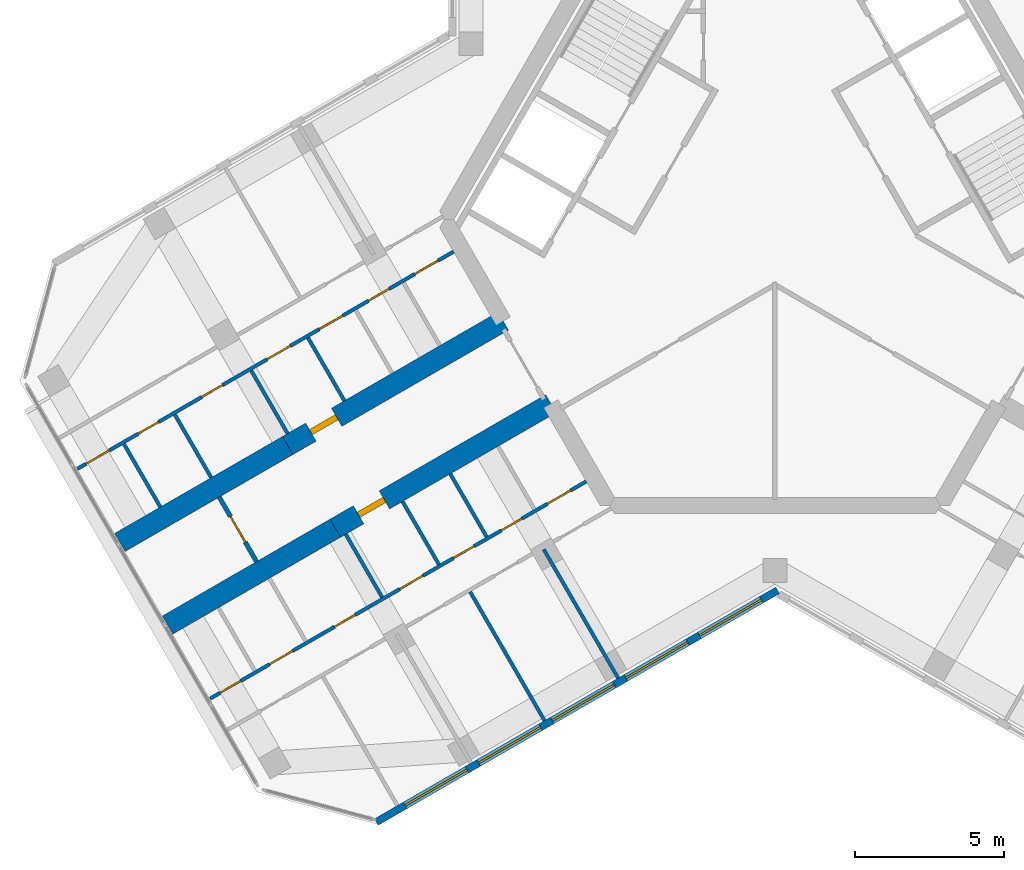
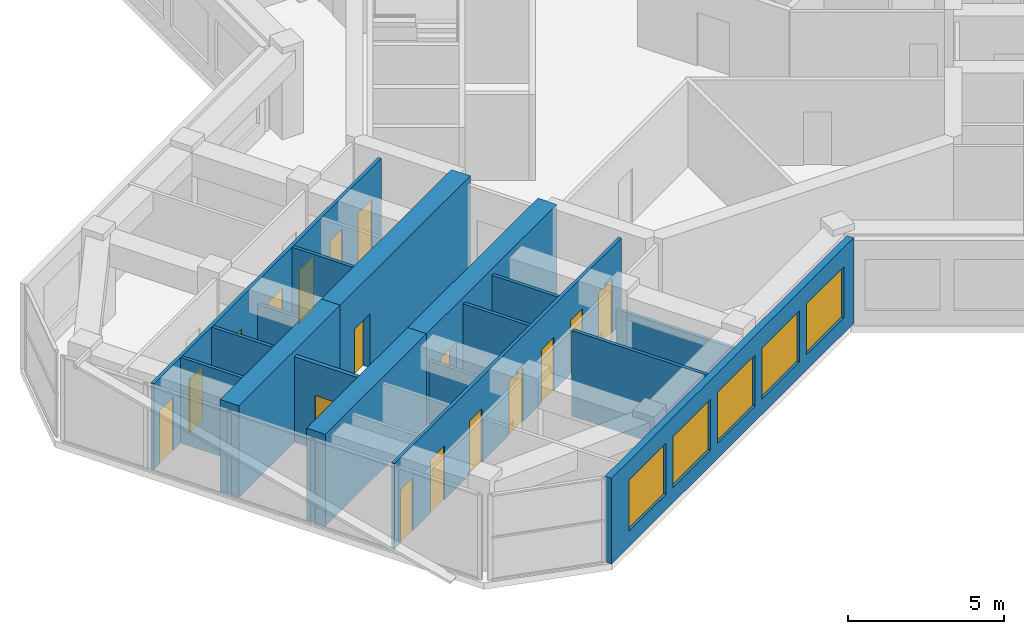
# One storey, part 7 of 14: 17 doors, 17 walls, 5 windows, 22 openings.
"""IFC4 building model written with IfcOpenShell, lengths in metres."""

from ifc_helpers import new_model, si_unit, direction, frame, frame_2d, origin, place, context, subcontext, project, spatial, rectangle, extrude, material, layer, layer_set, type_object, element, fill, save


model = new_model("IFC4")

# Units and contexts
model_context = context("Model", 3, precision=1e-05, world=origin(), true_north=direction((0.0, 1.0)))
body_context = subcontext(model_context, "Body", "Model", "MODEL_VIEW")
ifc_project = project(units=[si_unit("LENGTHUNIT", "METRE"), si_unit("AREAUNIT", "SQUARE_METRE"), si_unit("VOLUMEUNIT", "CUBIC_METRE"), si_unit("PLANEANGLEUNIT", "RADIAN"), si_unit("MASSUNIT", "GRAM", prefix="KILO")], contexts=[model_context])

# Site, building, storey
site_placement = place(None, origin())
site = spatial("IfcSite", under=ifc_project, at=site_placement, CompositionType="ELEMENT")
building_placement = place(site_placement, origin())
building = spatial("IfcBuilding", under=site, at=building_placement, Name="Kosmar Iwan School Tower", CompositionType="ELEMENT")
storey_placement = place(building_placement, frame((0.0, 0.0, 274.60009765625)))
storey = spatial("IfcBuildingStorey", under=building, at=storey_placement, Name="L69", CompositionType="ELEMENT", Elevation=274.60009765625)

# Wall, opening, door
ifc_material_1 = material(Name="Concrete C50/60", Category="concrete")
ifc_layer_1 = layer(ifc_material_1, 0.699951171875)
ifc_layer_set_1 = layer_set([ifc_layer_1], Name="Corridor buttress wall 700")
wall_type_1 = type_object("IfcWallType", Name="Corridor buttress wall 700", PredefinedType="SHEAR", material=ifc_layer_set_1)
wall_1_placement = place(storey_placement, frame((-7.513916015625, -6.185546875, 0.0), z_axis=(0.0, 0.0, 1.0), x_axis=(-0.866019549707, -0.500010139422, 0.0)))
wall_1 = element("IfcWall", 1, at=wall_1_placement, inside=storey, type_object=wall_type_1, Name="Corridor wall BL", PredefinedType="SHEAR", context=body_context, shape_type="SweptSolid", body=[
    extrude(rectangle(XDim=8.349853515625, YDim=0.699951171875, at=frame_2d((4.1748046875, 0.0))), origin(), (0.0, 0.0, 1.0), 3.599853515625),
])
opening_1_placement = place(wall_1_placement, frame((6.449951171875, 0.0, 0.0)))
opening_1 = element("IfcOpeningElement", 2, at=opening_1_placement, cuts=wall_1, Name="Opening D1", PredefinedType="OPENING", context=body_context, shape_type="SweptSolid", body=[
    extrude(rectangle(XDim=1.0, YDim=2.10009765625, at=frame_2d((0.5, 1.050048828125))), frame((0.0, 0.362060546875, 0.0), z_axis=(0.0, -1.0, 0.0), x_axis=(1.0, 0.0, 0.0)), (0.0, 0.0, 1.0), 0.723876953125),
])
ifc_material_2 = material(Name="Timber fire door in steel frame", Category="steel")
door_type_1 = type_object("IfcDoorType", Name="Flat entrance door 1000x2100", OperationType="SINGLE_SWING_LEFT", PredefinedType="DOOR", material=ifc_material_2)
door_1_placement = place(opening_1_placement, origin())
door_1 = element("IfcDoor", 3, at=door_1_placement, inside=storey, type_object=door_type_1, Name="Flat L69-BL1 entrance door", OperationType="SINGLE_SWING_LEFT", OverallHeight=2.10009765625, OverallWidth=1.0, PredefinedType="DOOR", context=body_context, shape_type="SweptSolid", body=[
    extrude(rectangle(XDim=1.0, YDim=2.10009765625, at=frame_2d((0.5, 1.050048828125))), frame((0.0, 0.10009765625, 0.0), z_axis=(0.0, -1.0, 0.0), x_axis=(1.0, 0.0, 0.0)), (0.0, 0.0, 1.0), 0.199951171875),
])
fill(opening_1, door_1)

# Wall
wall_2_placement = place(storey_placement, frame((-14.7451171875, -10.360595703125, 0.0), z_axis=(0.0, 0.0, 1.0), x_axis=(-0.866027848477, -0.499995765644, 0.0)))
element("IfcWall", 4, at=wall_2_placement, inside=storey, type_object=wall_type_1, Name="Corridor wall BL bay 2", PredefinedType="SHEAR", context=body_context, shape_type="SweptSolid", body=[
    extrude(rectangle(XDim=6.4951171875, YDim=0.699951171875, at=frame_2d((3.24755859375, 0.0))), origin(), (0.0, 0.0, 1.0), 3.599853515625),
])

# Wall, opening, door
wall_3_placement = place(storey_placement, frame((-9.11376953125, -3.414306640625, 0.0), z_axis=(0.0, 0.0, 1.0), x_axis=(-0.866026859388, -0.499997478812, 0.0)))
wall_3 = element("IfcWall", 5, at=wall_3_placement, inside=storey, type_object=wall_type_1, Name="Corridor wall BR", PredefinedType="SHEAR", context=body_context, shape_type="SweptSolid", body=[
    extrude(rectangle(XDim=8.35009765625, YDim=0.699951171875, at=frame_2d((4.175048828125, 0.0))), origin(), (0.0, 0.0, 1.0), 3.599853515625),
])
opening_2_placement = place(wall_3_placement, frame((6.449951171875, 0.0, 0.0)))
opening_2 = element("IfcOpeningElement", 6, at=opening_2_placement, cuts=wall_3, Name="Opening D1", PredefinedType="OPENING", context=body_context, shape_type="SweptSolid", body=[
    extrude(rectangle(XDim=1.0, YDim=2.10009765625, at=frame_2d((0.5, 1.050048828125))), frame((0.0, 0.362060546875, 0.0), z_axis=(0.0, -1.0, 0.0), x_axis=(1.0, 0.0, 0.0)), (0.0, 0.0, 1.0), 0.723876953125),
])
door_2_placement = place(opening_2_placement, origin())
door_2 = element("IfcDoor", 7, at=door_2_placement, inside=storey, type_object=door_type_1, Name="Flat L69-BR1 entrance door", OperationType="SINGLE_SWING_RIGHT", OverallHeight=2.10009765625, OverallWidth=1.0, PredefinedType="DOOR", context=body_context, shape_type="SweptSolid", body=[
    extrude(rectangle(XDim=1.0, YDim=2.10009765625, at=frame_2d((0.5, 1.050048828125))), frame((0.0, 0.10009765625, 0.0), z_axis=(0.0, -1.0, 0.0), x_axis=(1.0, 0.0, 0.0)), (0.0, 0.0, 1.0), 0.199951171875),
])
fill(opening_2, door_2)

# Wall
wall_4_placement = place(storey_placement, frame((-16.34521484375, -7.58935546875, 0.0), z_axis=(0.0, 0.0, 1.0), x_axis=(-0.866018451174, -0.500012042081, 0.0)))
element("IfcWall", 8, at=wall_4_placement, inside=storey, type_object=wall_type_1, Name="Corridor wall BR bay 2", PredefinedType="SHEAR", context=body_context, shape_type="SweptSolid", body=[
    extrude(rectangle(XDim=6.494873046875, YDim=0.699951171875, at=frame_2d((3.24755859375, 0.0))), origin(), (0.0, 0.0, 1.0), 3.599853515625),
])

# Wall, opening, door
ifc_material_3 = material(Name="Gypsum board on steel studs, fire-rated", Category="steel")
ifc_layer_2 = layer(ifc_material_3, 0.14990234375)
ifc_layer_set_2 = layer_set([ifc_layer_2], Name="Corridor end wall 150")
wall_type_2 = type_object("IfcWallType", Name="Corridor end wall 150", PredefinedType="PARTITIONING", material=ifc_layer_set_2)
wall_5_placement = place(storey_placement, frame((-18.638427734375, -9.3173828125, 0.0), z_axis=(0.0, 0.0, 1.0), x_axis=(0.500004234368, -0.866022959057, 0.0)))
wall_5 = element("IfcWall", 9, at=wall_5_placement, inside=storey, type_object=wall_type_2, Name="Partition L69-B-CE", PredefinedType="PARTITIONING", context=body_context, shape_type="SweptSolid", body=[
    extrude(rectangle(XDim=2.5, YDim=0.14990234375, at=frame_2d((1.25, 0.0))), origin(), (0.0, 0.0, 1.0), 3.349853515625),
])
opening_3_placement = place(wall_5_placement, frame((0.75, 0.0, 0.0)))
opening_3 = element("IfcOpeningElement", 10, at=opening_3_placement, cuts=wall_5, Name="Opening D13", PredefinedType="OPENING", context=body_context, shape_type="SweptSolid", body=[
    extrude(rectangle(XDim=1.0, YDim=2.10009765625, at=frame_2d((0.5, 1.050048828125))), frame((0.0, 0.0869140625, 0.0), z_axis=(0.0, -1.0, 0.0), x_axis=(1.0, 0.0, 0.0)), (0.0, 0.0, 1.0), 0.173828125),
])
ifc_material_4 = material(Name="Timber fire door with vision panel", Category="wood")
door_type_2 = type_object("IfcDoorType", Name="Corridor end door 1000x2100", OperationType="SINGLE_SWING_LEFT", PredefinedType="DOOR", material=ifc_material_4)
door_3_placement = place(opening_3_placement, origin())
door_3 = element("IfcDoor", 11, at=door_3_placement, inside=storey, type_object=door_type_2, Name="Prayer room door L69-B", OperationType="SINGLE_SWING_LEFT", OverallHeight=2.10009765625, OverallWidth=1.0, PredefinedType="DOOR", context=body_context, shape_type="SweptSolid", body=[
    extrude(rectangle(XDim=1.0, YDim=2.10009765625, at=frame_2d((0.5, 1.050048828125))), frame((0.0, 0.02490234375, 0.0), z_axis=(0.0, -1.0, 0.0), x_axis=(1.0, 0.0, 0.0)), (0.0, 0.0, 1.0), 0.050048828125),
])
fill(opening_3, door_3)

# Wall, openings, doors
ifc_material_5 = material(Name="Gypsum board on steel studs", Category="steel")
ifc_layer_3 = layer(ifc_material_5, 0.1201171875)
ifc_layer_set_3 = layer_set([ifc_layer_3], Name="Dwelling partition 120")
wall_type_3 = type_object("IfcWallType", Name="Dwelling partition 120", PredefinedType="PARTITIONING", material=ifc_layer_set_3)
wall_6_placement = place(storey_placement, frame((-6.326904296875, -8.791259765625, 0.0), z_axis=(0.0, 0.0, 1.0), x_axis=(-0.866023744513, -0.500002873931, 0.0)))
wall_6 = element("IfcWall", 12, at=wall_6_placement, inside=storey, type_object=wall_type_3, Name="Partition L69-BL1-W1", PredefinedType="PARTITIONING", context=body_context, shape_type="SweptSolid", body=[
    extrude(rectangle(XDim=14.5703125, YDim=0.1201171875, at=frame_2d((7.28515625, 0.0))), origin(), (0.0, 0.0, 1.0), 3.349853515625),
])
opening_4_placement = place(wall_6_placement, frame((0.60009765625, 0.0, 0.0)))
opening_4 = element("IfcOpeningElement", 13, at=opening_4_placement, cuts=wall_6, Name="Opening D2", PredefinedType="OPENING", context=body_context, shape_type="SweptSolid", body=[
    extrude(rectangle(XDim=0.89990234375, YDim=2.10009765625, at=frame_2d((0.449951171875, 1.050048828125))), frame((0.0, 0.072021484375, 0.0), z_axis=(0.0, -1.0, 0.0), x_axis=(1.0, 0.0, 0.0)), (0.0, 0.0, 1.0), 0.14404296875),
])
opening_5_placement = place(wall_6_placement, frame((2.5, 0.0, 0.0)))
opening_5 = element("IfcOpeningElement", 14, at=opening_5_placement, cuts=wall_6, Name="Opening D3", PredefinedType="OPENING", context=body_context, shape_type="SweptSolid", body=[
    extrude(rectangle(XDim=0.800048828125, YDim=2.10009765625, at=frame_2d((0.39990234375, 1.050048828125))), frame((0.0, 0.072021484375, 0.0), z_axis=(0.0, -1.0, 0.0), x_axis=(1.0, 0.0, 0.0)), (0.0, 0.0, 1.0), 0.14404296875),
])
opening_6_placement = place(wall_6_placement, frame((4.35009765625, 0.0, 0.0)))
opening_6 = element("IfcOpeningElement", 15, at=opening_6_placement, cuts=wall_6, Name="Opening D3", PredefinedType="OPENING", context=body_context, shape_type="SweptSolid", body=[
    extrude(rectangle(XDim=0.800048828125, YDim=2.10009765625, at=frame_2d((0.39990234375, 1.050048828125))), frame((0.0, 0.072021484375, 0.0), z_axis=(0.0, -1.0, 0.0), x_axis=(1.0, 0.0, 0.0)), (0.0, 0.0, 1.0), 0.14404296875),
])
opening_7_placement = place(wall_6_placement, frame((6.324951171875, 0.0, 0.0)))
opening_7 = element("IfcOpeningElement", 16, at=opening_7_placement, cuts=wall_6, Name="Opening D2", PredefinedType="OPENING", context=body_context, shape_type="SweptSolid", body=[
    extrude(rectangle(XDim=0.89990234375, YDim=2.10009765625, at=frame_2d((0.449951171875, 1.050048828125))), frame((0.0, 0.072021484375, 0.0), z_axis=(0.0, -1.0, 0.0), x_axis=(1.0, 0.0, 0.0)), (0.0, 0.0, 1.0), 0.14404296875),
])
opening_8_placement = place(wall_6_placement, frame((8.95361328125, 0.0, 0.0)))
opening_8 = element("IfcOpeningElement", 17, at=opening_8_placement, cuts=wall_6, Name="Opening D3", PredefinedType="OPENING", context=body_context, shape_type="SweptSolid", body=[
    extrude(rectangle(XDim=0.800048828125, YDim=2.10009765625, at=frame_2d((0.39990234375, 1.050048828125))), frame((0.0, 0.072021484375, 0.0), z_axis=(0.0, -1.0, 0.0), x_axis=(1.0, 0.0, 0.0)), (0.0, 0.0, 1.0), 0.14404296875),
])
opening_9_placement = place(wall_6_placement, frame((11.367919921875, 0.0, 0.0)))
opening_9 = element("IfcOpeningElement", 18, at=opening_9_placement, cuts=wall_6, Name="Opening D2", PredefinedType="OPENING", context=body_context, shape_type="SweptSolid", body=[
    extrude(rectangle(XDim=0.89990234375, YDim=2.10009765625, at=frame_2d((0.449951171875, 1.050048828125))), frame((0.0, 0.072021484375, 0.0), z_axis=(0.0, -1.0, 0.0), x_axis=(1.0, 0.0, 0.0)), (0.0, 0.0, 1.0), 0.14404296875),
])
opening_10_placement = place(wall_6_placement, frame((13.389404296875, 0.0, 0.0)))
opening_10 = element("IfcOpeningElement", 19, at=opening_10_placement, cuts=wall_6, Name="Opening D3", PredefinedType="OPENING", context=body_context, shape_type="SweptSolid", body=[
    extrude(rectangle(XDim=0.800048828125, YDim=2.10009765625, at=frame_2d((0.39990234375, 1.050048828125))), frame((0.0, 0.072021484375, 0.0), z_axis=(0.0, -1.0, 0.0), x_axis=(1.0, 0.0, 0.0)), (0.0, 0.0, 1.0), 0.14404296875),
])
ifc_material_6 = material(Name="Timber door in timber frame", Category="wood")
door_type_3 = type_object("IfcDoorType", Name="Internal door 900x2100", OperationType="SINGLE_SWING_LEFT", PredefinedType="DOOR", material=ifc_material_6)
door_4_placement = place(opening_4_placement, origin())
door_4 = element("IfcDoor", 20, at=door_4_placement, inside=storey, type_object=door_type_3, Name="Utility room door L69-BL1-S1", OperationType="SINGLE_SWING_LEFT", OverallHeight=2.10009765625, OverallWidth=0.89990234375, PredefinedType="DOOR", context=body_context, shape_type="SweptSolid", body=[
    extrude(rectangle(XDim=0.89990234375, YDim=2.10009765625, at=frame_2d((0.449951171875, 1.050048828125))), frame((0.0, 0.02490234375, 0.0), z_axis=(0.0, -1.0, 0.0), x_axis=(1.0, 0.0, 0.0)), (0.0, 0.0, 1.0), 0.050048828125),
])
fill(opening_4, door_4)
door_5_placement = place(opening_7_placement, origin())
door_5 = element("IfcDoor", 21, at=door_5_placement, inside=storey, type_object=door_type_3, Name="Entrance hall door L69-BL1-S4", OperationType="SINGLE_SWING_LEFT", OverallHeight=2.10009765625, OverallWidth=0.89990234375, PredefinedType="DOOR", context=body_context, shape_type="SweptSolid", body=[
    extrude(rectangle(XDim=0.89990234375, YDim=2.10009765625, at=frame_2d((0.449951171875, 1.050048828125))), frame((0.0, 0.02490234375, 0.0), z_axis=(0.0, -1.0, 0.0), x_axis=(1.0, 0.0, 0.0)), (0.0, 0.0, 1.0), 0.050048828125),
])
fill(opening_7, door_5)
door_6_placement = place(opening_9_placement, origin())
door_6 = element("IfcDoor", 22, at=door_6_placement, inside=storey, type_object=door_type_3, Name="Pantry door L69-BL1-S6", OperationType="SINGLE_SWING_RIGHT", OverallHeight=2.10009765625, OverallWidth=0.89990234375, PredefinedType="DOOR", context=body_context, shape_type="SweptSolid", body=[
    extrude(rectangle(XDim=0.89990234375, YDim=2.10009765625, at=frame_2d((0.449951171875, 1.050048828125))), frame((0.0, 0.02490234375, 0.0), z_axis=(0.0, -1.0, 0.0), x_axis=(1.0, 0.0, 0.0)), (0.0, 0.0, 1.0), 0.050048828125),
])
fill(opening_9, door_6)
ifc_material_7 = material(Name="Timber door in timber frame", Category="wood")
door_type_4 = type_object("IfcDoorType", Name="Sanitary room door 800x2100", OperationType="SINGLE_SWING_LEFT", PredefinedType="DOOR", material=ifc_material_7)
door_7_placement = place(opening_5_placement, origin())
door_7 = element("IfcDoor", 23, at=door_7_placement, inside=storey, type_object=door_type_4, Name="WC door L69-BL1-S2", OperationType="SINGLE_SWING_LEFT", OverallHeight=2.10009765625, OverallWidth=0.800048828125, PredefinedType="DOOR", context=body_context, shape_type="SweptSolid", body=[
    extrude(rectangle(XDim=0.800048828125, YDim=2.10009765625, at=frame_2d((0.39990234375, 1.050048828125))), frame((0.0, 0.02490234375, 0.0), z_axis=(0.0, -1.0, 0.0), x_axis=(1.0, 0.0, 0.0)), (0.0, 0.0, 1.0), 0.050048828125),
])
fill(opening_5, door_7)
door_8_placement = place(opening_6_placement, origin())
door_8 = element("IfcDoor", 24, at=door_8_placement, inside=storey, type_object=door_type_4, Name="Shower room door L69-BL1-S3", OperationType="SINGLE_SWING_LEFT", OverallHeight=2.10009765625, OverallWidth=0.800048828125, PredefinedType="DOOR", context=body_context, shape_type="SweptSolid", body=[
    extrude(rectangle(XDim=0.800048828125, YDim=2.10009765625, at=frame_2d((0.39990234375, 1.050048828125))), frame((0.0, 0.02490234375, 0.0), z_axis=(0.0, -1.0, 0.0), x_axis=(1.0, 0.0, 0.0)), (0.0, 0.0, 1.0), 0.050048828125),
])
fill(opening_6, door_8)
door_9_placement = place(opening_8_placement, origin())
door_9 = element("IfcDoor", 25, at=door_9_placement, inside=storey, type_object=door_type_4, Name="Bathroom door L69-BL1-S5", OperationType="SINGLE_SWING_RIGHT", OverallHeight=2.10009765625, OverallWidth=0.800048828125, PredefinedType="DOOR", context=body_context, shape_type="SweptSolid", body=[
    extrude(rectangle(XDim=0.800048828125, YDim=2.10009765625, at=frame_2d((0.39990234375, 1.050048828125))), frame((0.0, 0.02490234375, 0.0), z_axis=(0.0, -1.0, 0.0), x_axis=(1.0, 0.0, 0.0)), (0.0, 0.0, 1.0), 0.050048828125),
])
fill(opening_8, door_9)
door_10_placement = place(opening_10_placement, origin())
door_10 = element("IfcDoor", 26, at=door_10_placement, inside=storey, type_object=door_type_4, Name="Store door L69-BL1-S7", OperationType="SINGLE_SWING_RIGHT", OverallHeight=2.10009765625, OverallWidth=0.800048828125, PredefinedType="DOOR", context=body_context, shape_type="SweptSolid", body=[
    extrude(rectangle(XDim=0.800048828125, YDim=2.10009765625, at=frame_2d((0.39990234375, 1.050048828125))), frame((0.0, 0.02490234375, 0.0), z_axis=(0.0, -1.0, 0.0), x_axis=(1.0, 0.0, 0.0)), (0.0, 0.0, 1.0), 0.050048828125),
])
fill(opening_10, door_10)

# Walls
wall_7_placement = place(storey_placement, frame((-7.75390625, -11.070068359375, 0.0), z_axis=(0.0, 0.0, 1.0), x_axis=(0.500011847778, -0.866018563358, 0.0)))
element("IfcWall", 27, at=wall_7_placement, inside=storey, type_object=wall_type_3, Name="Partition L69-BL1-X1", PredefinedType="PARTITIONING", context=body_context, shape_type="SweptSolid", body=[
    extrude(rectangle(XDim=4.990234375, YDim=0.1201171875, at=frame_2d((2.4951171875, 0.0))), origin(), (0.0, 0.0, 1.0), 2.449951171875),
])
wall_8_placement = place(storey_placement, frame((-10.221923828125, -12.4951171875, 0.0), z_axis=(0.0, 0.0, 1.0), x_axis=(0.499996339024, -0.86602751744, 0.0)))
element("IfcWall", 28, at=wall_8_placement, inside=storey, type_object=wall_type_3, Name="Partition L69-BL1-X2", PredefinedType="PARTITIONING", context=body_context, shape_type="SweptSolid", body=[
    extrude(rectangle(XDim=4.98974609375, YDim=0.1201171875, at=frame_2d((2.494873046875, 0.0))), origin(), (0.0, 0.0, 1.0), 3.349853515625),
])
wall_9_placement = place(storey_placement, frame((-10.8896484375, -8.538818359375, 0.0), z_axis=(0.0, 0.0, 1.0), x_axis=(0.500077547548, -0.865980627057, 0.0)))
element("IfcWall", 29, at=wall_9_placement, inside=storey, type_object=wall_type_3, Name="Partition L69-BL1-Y2", PredefinedType="PARTITIONING", context=body_context, shape_type="SweptSolid", body=[
    extrude(rectangle(XDim=2.43994140625, YDim=0.1201171875, at=frame_2d((1.219970703125, 0.0))), origin(), (0.0, 0.0, 1.0), 3.349853515625),
])
wall_10_placement = place(storey_placement, frame((-12.49169921875, -9.463623046875, 0.0), z_axis=(0.0, 0.0, 1.0), x_axis=(0.499959183527, -0.866048967903, 0.0)))
element("IfcWall", 30, at=wall_10_placement, inside=storey, type_object=wall_type_3, Name="Partition L69-BL1-Y3", PredefinedType="PARTITIONING", context=body_context, shape_type="SweptSolid", body=[
    extrude(rectangle(XDim=2.440185546875, YDim=0.1201171875, at=frame_2d((1.22021484375, 0.0))), origin(), (0.0, 0.0, 1.0), 3.349853515625),
])
wall_11_placement = place(storey_placement, frame((-14.39697265625, -10.563720703125, 0.0), z_axis=(0.0, 0.0, 1.0), x_axis=(0.500002508028, -0.866023955769, 0.0)))
element("IfcWall", 31, at=wall_11_placement, inside=storey, type_object=wall_type_3, Name="Partition L69-BL1-Y4", PredefinedType="PARTITIONING", context=body_context, shape_type="SweptSolid", body=[
    extrude(rectangle(XDim=2.43994140625, YDim=0.1201171875, at=frame_2d((1.219970703125, 0.0))), origin(), (0.0, 0.0, 1.0), 2.449951171875),
])

# Wall, openings, doors
wall_12_placement = place(storey_placement, frame((-10.777099609375, -1.083740234375, 0.0), z_axis=(0.0, 0.0, 1.0), x_axis=(-0.866026811131, -0.499997562396, 0.0)))
wall_12 = element("IfcWall", 32, at=wall_12_placement, inside=storey, type_object=wall_type_3, Name="Partition L69-BR1-W1", PredefinedType="PARTITIONING", context=body_context, shape_type="SweptSolid", body=[
    extrude(rectangle(XDim=14.56982421875, YDim=0.1201171875, at=frame_2d((7.284912109375, 0.0))), origin(), (0.0, 0.0, 1.0), 3.349853515625),
])
opening_11_placement = place(wall_12_placement, frame((0.60009765625, 0.0, 0.0)))
opening_11 = element("IfcOpeningElement", 33, at=opening_11_placement, cuts=wall_12, Name="Opening D2", PredefinedType="OPENING", context=body_context, shape_type="SweptSolid", body=[
    extrude(rectangle(XDim=0.89990234375, YDim=2.10009765625, at=frame_2d((0.449951171875, 1.050048828125))), frame((0.0, 0.072021484375, 0.0), z_axis=(0.0, -1.0, 0.0), x_axis=(1.0, 0.0, 0.0)), (0.0, 0.0, 1.0), 0.14404296875),
])
opening_12_placement = place(wall_12_placement, frame((2.5, 0.0, 0.0)))
opening_12 = element("IfcOpeningElement", 34, at=opening_12_placement, cuts=wall_12, Name="Opening D3", PredefinedType="OPENING", context=body_context, shape_type="SweptSolid", body=[
    extrude(rectangle(XDim=0.800048828125, YDim=2.10009765625, at=frame_2d((0.39990234375, 1.050048828125))), frame((0.0, 0.072021484375, 0.0), z_axis=(0.0, -1.0, 0.0), x_axis=(1.0, 0.0, 0.0)), (0.0, 0.0, 1.0), 0.14404296875),
])
opening_13_placement = place(wall_12_placement, frame((4.300048828125, 0.0, 0.0)))
opening_13 = element("IfcOpeningElement", 35, at=opening_13_placement, cuts=wall_12, Name="Opening D2", PredefinedType="OPENING", context=body_context, shape_type="SweptSolid", body=[
    extrude(rectangle(XDim=0.89990234375, YDim=2.10009765625, at=frame_2d((0.449951171875, 1.050048828125))), frame((0.0, 0.072021484375, 0.0), z_axis=(0.0, -1.0, 0.0), x_axis=(1.0, 0.0, 0.0)), (0.0, 0.0, 1.0), 0.14404296875),
])
opening_14_placement = place(wall_12_placement, frame((6.324951171875, 0.0, 0.0)))
opening_14 = element("IfcOpeningElement", 36, at=opening_14_placement, cuts=wall_12, Name="Opening D2", PredefinedType="OPENING", context=body_context, shape_type="SweptSolid", body=[
    extrude(rectangle(XDim=0.89990234375, YDim=2.10009765625, at=frame_2d((0.449951171875, 1.050048828125))), frame((0.0, 0.072021484375, 0.0), z_axis=(0.0, -1.0, 0.0), x_axis=(1.0, 0.0, 0.0)), (0.0, 0.0, 1.0), 0.14404296875),
])
opening_15_placement = place(wall_12_placement, frame((8.95361328125, 0.0, 0.0)))
opening_15 = element("IfcOpeningElement", 37, at=opening_15_placement, cuts=wall_12, Name="Opening D3", PredefinedType="OPENING", context=body_context, shape_type="SweptSolid", body=[
    extrude(rectangle(XDim=0.800048828125, YDim=2.10009765625, at=frame_2d((0.39990234375, 1.050048828125))), frame((0.0, 0.072021484375, 0.0), z_axis=(0.0, -1.0, 0.0), x_axis=(1.0, 0.0, 0.0)), (0.0, 0.0, 1.0), 0.14404296875),
])
opening_16_placement = place(wall_12_placement, frame((11.41796875, 0.0, 0.0)))
opening_16 = element("IfcOpeningElement", 38, at=opening_16_placement, cuts=wall_12, Name="Opening D3", PredefinedType="OPENING", context=body_context, shape_type="SweptSolid", body=[
    extrude(rectangle(XDim=0.800048828125, YDim=2.10009765625, at=frame_2d((0.39990234375, 1.050048828125))), frame((0.0, 0.072021484375, 0.0), z_axis=(0.0, -1.0, 0.0), x_axis=(1.0, 0.0, 0.0)), (0.0, 0.0, 1.0), 0.14404296875),
])
opening_17_placement = place(wall_12_placement, frame((13.33935546875, 0.0, 0.0)))
opening_17 = element("IfcOpeningElement", 39, at=opening_17_placement, cuts=wall_12, Name="Opening D2", PredefinedType="OPENING", context=body_context, shape_type="SweptSolid", body=[
    extrude(rectangle(XDim=0.89990234375, YDim=2.10009765625, at=frame_2d((0.449951171875, 1.050048828125))), frame((0.0, 0.072021484375, 0.0), z_axis=(0.0, -1.0, 0.0), x_axis=(1.0, 0.0, 0.0)), (0.0, 0.0, 1.0), 0.14404296875),
])
door_11_placement = place(opening_11_placement, origin())
door_11 = element("IfcDoor", 40, at=door_11_placement, inside=storey, type_object=door_type_3, Name="Dressing room door L69-BR1-S1", OperationType="SINGLE_SWING_LEFT", OverallHeight=2.10009765625, OverallWidth=0.89990234375, PredefinedType="DOOR", context=body_context, shape_type="SweptSolid", body=[
    extrude(rectangle(XDim=0.89990234375, YDim=2.10009765625, at=frame_2d((0.449951171875, 1.050048828125))), frame((0.0, 0.02490234375, 0.0), z_axis=(0.0, -1.0, 0.0), x_axis=(1.0, 0.0, 0.0)), (0.0, 0.0, 1.0), 0.050048828125),
])
fill(opening_11, door_11)
door_12_placement = place(opening_13_placement, origin())
door_12 = element("IfcDoor", 41, at=door_12_placement, inside=storey, type_object=door_type_3, Name="Pantry door L69-BR1-S3", OperationType="SINGLE_SWING_LEFT", OverallHeight=2.10009765625, OverallWidth=0.89990234375, PredefinedType="DOOR", context=body_context, shape_type="SweptSolid", body=[
    extrude(rectangle(XDim=0.89990234375, YDim=2.10009765625, at=frame_2d((0.449951171875, 1.050048828125))), frame((0.0, 0.02490234375, 0.0), z_axis=(0.0, -1.0, 0.0), x_axis=(1.0, 0.0, 0.0)), (0.0, 0.0, 1.0), 0.050048828125),
])
fill(opening_13, door_12)
door_13_placement = place(opening_14_placement, origin())
door_13 = element("IfcDoor", 42, at=door_13_placement, inside=storey, type_object=door_type_3, Name="Entrance hall door L69-BR1-S4", OperationType="SINGLE_SWING_RIGHT", OverallHeight=2.10009765625, OverallWidth=0.89990234375, PredefinedType="DOOR", context=body_context, shape_type="SweptSolid", body=[
    extrude(rectangle(XDim=0.89990234375, YDim=2.10009765625, at=frame_2d((0.449951171875, 1.050048828125))), frame((0.0, 0.02490234375, 0.0), z_axis=(0.0, -1.0, 0.0), x_axis=(1.0, 0.0, 0.0)), (0.0, 0.0, 1.0), 0.050048828125),
])
fill(opening_14, door_13)
door_14_placement = place(opening_17_placement, origin())
door_14 = element("IfcDoor", 43, at=door_14_placement, inside=storey, type_object=door_type_3, Name="Utility room door L69-BR1-S7", OperationType="SINGLE_SWING_RIGHT", OverallHeight=2.10009765625, OverallWidth=0.89990234375, PredefinedType="DOOR", context=body_context, shape_type="SweptSolid", body=[
    extrude(rectangle(XDim=0.89990234375, YDim=2.10009765625, at=frame_2d((0.449951171875, 1.050048828125))), frame((0.0, 0.02490234375, 0.0), z_axis=(0.0, -1.0, 0.0), x_axis=(1.0, 0.0, 0.0)), (0.0, 0.0, 1.0), 0.050048828125),
])
fill(opening_17, door_14)
door_15_placement = place(opening_12_placement, origin())
door_15 = element("IfcDoor", 44, at=door_15_placement, inside=storey, type_object=door_type_4, Name="Store door L69-BR1-S2", OperationType="SINGLE_SWING_RIGHT", OverallHeight=2.10009765625, OverallWidth=0.800048828125, PredefinedType="DOOR", context=body_context, shape_type="SweptSolid", body=[
    extrude(rectangle(XDim=0.800048828125, YDim=2.10009765625, at=frame_2d((0.39990234375, 1.050048828125))), frame((0.0, 0.02490234375, 0.0), z_axis=(0.0, -1.0, 0.0), x_axis=(1.0, 0.0, 0.0)), (0.0, 0.0, 1.0), 0.050048828125),
])
fill(opening_12, door_15)
door_16_placement = place(opening_15_placement, origin())
door_16 = element("IfcDoor", 45, at=door_16_placement, inside=storey, type_object=door_type_4, Name="Bathroom door L69-BR1-S5", OperationType="SINGLE_SWING_LEFT", OverallHeight=2.10009765625, OverallWidth=0.800048828125, PredefinedType="DOOR", context=body_context, shape_type="SweptSolid", body=[
    extrude(rectangle(XDim=0.800048828125, YDim=2.10009765625, at=frame_2d((0.39990234375, 1.050048828125))), frame((0.0, 0.02490234375, 0.0), z_axis=(0.0, -1.0, 0.0), x_axis=(1.0, 0.0, 0.0)), (0.0, 0.0, 1.0), 0.050048828125),
])
fill(opening_15, door_16)
door_17_placement = place(opening_16_placement, origin())
door_17 = element("IfcDoor", 46, at=door_17_placement, inside=storey, type_object=door_type_4, Name="WC door L69-BR1-S6", OperationType="SINGLE_SWING_RIGHT", OverallHeight=2.10009765625, OverallWidth=0.800048828125, PredefinedType="DOOR", context=body_context, shape_type="SweptSolid", body=[
    extrude(rectangle(XDim=0.800048828125, YDim=2.10009765625, at=frame_2d((0.39990234375, 1.050048828125))), frame((0.0, 0.02490234375, 0.0), z_axis=(0.0, -1.0, 0.0), x_axis=(1.0, 0.0, 0.0)), (0.0, 0.0, 1.0), 0.050048828125),
])
fill(opening_16, door_17)

# Walls
wall_13_placement = place(storey_placement, frame((-14.441650390625, -6.086181640625, 0.0), z_axis=(0.0, 0.0, 1.0), x_axis=(-0.500002508028, 0.866023955769, 0.0)))
element("IfcWall", 47, at=wall_13_placement, inside=storey, type_object=wall_type_3, Name="Partition L69-BR1-Y3", PredefinedType="PARTITIONING", context=body_context, shape_type="SweptSolid", body=[
    extrude(rectangle(XDim=2.43994140625, YDim=0.1201171875, at=frame_2d((1.219970703125, 0.0))), origin(), (0.0, 0.0, 1.0), 3.349853515625),
])
wall_14_placement = place(storey_placement, frame((-16.346923828125, -7.186279296875, 0.0), z_axis=(0.0, 0.0, 1.0), x_axis=(-0.500002508028, 0.866023955769, 0.0)))
element("IfcWall", 48, at=wall_14_placement, inside=storey, type_object=wall_type_3, Name="Partition L69-BR1-Y4", PredefinedType="PARTITIONING", context=body_context, shape_type="SweptSolid", body=[
    extrude(rectangle(XDim=2.43994140625, YDim=0.1201171875, at=frame_2d((1.219970703125, 0.0))), origin(), (0.0, 0.0, 1.0), 2.449951171875),
])
wall_15_placement = place(storey_placement, frame((-18.907958984375, -8.664794921875, 0.0), z_axis=(0.0, 0.0, 1.0), x_axis=(-0.500002508028, 0.866023955769, 0.0)))
element("IfcWall", 49, at=wall_15_placement, inside=storey, type_object=wall_type_3, Name="Partition L69-BR1-Y5", PredefinedType="PARTITIONING", context=body_context, shape_type="SweptSolid", body=[
    extrude(rectangle(XDim=2.43994140625, YDim=0.1201171875, at=frame_2d((1.219970703125, 0.0))), origin(), (0.0, 0.0, 1.0), 3.349853515625),
])
wall_16_placement = place(storey_placement, frame((-20.615234375, -9.650634765625, 0.0), z_axis=(0.0, 0.0, 1.0), x_axis=(-0.499959183527, 0.866048967903, 0.0)))
element("IfcWall", 50, at=wall_16_placement, inside=storey, type_object=wall_type_3, Name="Partition L69-BR1-Y6", PredefinedType="PARTITIONING", context=body_context, shape_type="SweptSolid", body=[
    extrude(rectangle(XDim=2.440185546875, YDim=0.1201171875, at=frame_2d((1.22021484375, 0.0))), origin(), (0.0, 0.0, 1.0), 3.349853515625),
])

# Wall, openings, windows
ifc_material_8 = material(Name="Black aluminium rainscreen on insulated framing", Category="aluminium")
ifc_layer_4 = layer(ifc_material_8, 0.25)
ifc_layer_set_4 = layer_set([ifc_layer_4], Name="External wall rainscreen 250")
wall_type_4 = type_object("IfcWallType", Name="External wall rainscreen 250", PredefinedType="SOLIDWALL", material=ifc_layer_set_4)
wall_17_placement = place(storey_placement, frame((0.088134765625, -12.44873046875, 0.0), z_axis=(0.0, 0.0, 1.0), x_axis=(-0.866029894971, -0.499992220956, 0.0)))
wall_17 = element("IfcWall", 51, at=wall_17_placement, inside=storey, type_object=wall_type_4, Name="External wall BL L69", PredefinedType="SOLIDWALL", context=body_context, shape_type="SweptSolid", body=[
    extrude(rectangle(XDim=15.537353515625, YDim=0.25, at=frame_2d((7.7685546875, 0.0))), origin(), (0.0, 0.0, 1.0), 3.349853515625),
])
opening_18_placement = place(wall_17_placement, frame((0.626953125, 0.0, 0.60009765625)))
opening_18 = element("IfcOpeningElement", 52, at=opening_18_placement, cuts=wall_17, Name="Opening W6", PredefinedType="OPENING", context=body_context, shape_type="SweptSolid", body=[
    extrude(rectangle(XDim=2.39990234375, YDim=2.0, at=frame_2d((1.199951171875, 1.0))), frame((0.0, 0.136962890625, 0.0), z_axis=(0.0, -1.0, 0.0), x_axis=(1.0, 0.0, 0.0)), (0.0, 0.0, 1.0), 0.27392578125),
])
opening_19_placement = place(wall_17_placement, frame((3.47705078125, 0.0, 0.60009765625)))
opening_19 = element("IfcOpeningElement", 53, at=opening_19_placement, cuts=wall_17, Name="Opening W6", PredefinedType="OPENING", context=body_context, shape_type="SweptSolid", body=[
    extrude(rectangle(XDim=2.39990234375, YDim=2.0, at=frame_2d((1.199951171875, 1.0))), frame((0.0, 0.136962890625, 0.0), z_axis=(0.0, -1.0, 0.0), x_axis=(1.0, 0.0, 0.0)), (0.0, 0.0, 1.0), 0.27392578125),
])
opening_20_placement = place(wall_17_placement, frame((6.326904296875, 0.0, 0.60009765625)))
opening_20 = element("IfcOpeningElement", 54, at=opening_20_placement, cuts=wall_17, Name="Opening W6", PredefinedType="OPENING", context=body_context, shape_type="SweptSolid", body=[
    extrude(rectangle(XDim=2.39990234375, YDim=2.0, at=frame_2d((1.199951171875, 1.0))), frame((0.0, 0.136962890625, 0.0), z_axis=(0.0, -1.0, 0.0), x_axis=(1.0, 0.0, 0.0)), (0.0, 0.0, 1.0), 0.27392578125),
])
opening_21_placement = place(wall_17_placement, frame((9.177001953125, 0.0, 0.60009765625)))
opening_21 = element("IfcOpeningElement", 55, at=opening_21_placement, cuts=wall_17, Name="Opening W6", PredefinedType="OPENING", context=body_context, shape_type="SweptSolid", body=[
    extrude(rectangle(XDim=2.39990234375, YDim=2.0, at=frame_2d((1.199951171875, 1.0))), frame((0.0, 0.136962890625, 0.0), z_axis=(0.0, -1.0, 0.0), x_axis=(1.0, 0.0, 0.0)), (0.0, 0.0, 1.0), 0.27392578125),
])
opening_22_placement = place(wall_17_placement, frame((12.027099609375, 0.0, 0.60009765625)))
opening_22 = element("IfcOpeningElement", 56, at=opening_22_placement, cuts=wall_17, Name="Opening W6", PredefinedType="OPENING", context=body_context, shape_type="SweptSolid", body=[
    extrude(rectangle(XDim=2.39990234375, YDim=2.0, at=frame_2d((1.199951171875, 1.0))), frame((0.0, 0.136962890625, 0.0), z_axis=(0.0, -1.0, 0.0), x_axis=(1.0, 0.0, 0.0)), (0.0, 0.0, 1.0), 0.27392578125),
])
ifc_material_9 = material(Name="Black aluminium frame with dark triple glazing", Category="aluminium")
window_type = type_object("IfcWindowType", Name="Window 2400x2000", PartitioningType="SINGLE_PANEL", PredefinedType="WINDOW", material=ifc_material_9)
window_1_placement = place(opening_18_placement, origin())
window_1 = element("IfcWindow", 57, at=window_1_placement, inside=storey, type_object=window_type, Name="Window BL L69 -1", OverallHeight=2.0, OverallWidth=2.39990234375, PartitioningType="SINGLE_PANEL", PredefinedType="WINDOW", context=body_context, shape_type="SweptSolid", body=[
    extrude(rectangle(XDim=2.39990234375, YDim=2.0, at=frame_2d((1.199951171875, 1.0))), frame((0.0, 0.030029296875, 0.0), z_axis=(0.0, -1.0, 0.0), x_axis=(1.0, 0.0, 0.0)), (0.0, 0.0, 1.0), 0.06005859375),
])
fill(opening_18, window_1)
window_2_placement = place(opening_19_placement, origin())
window_2 = element("IfcWindow", 58, at=window_2_placement, inside=storey, type_object=window_type, Name="Window BL L69 0", OverallHeight=2.0, OverallWidth=2.39990234375, PartitioningType="SINGLE_PANEL", PredefinedType="WINDOW", context=body_context, shape_type="SweptSolid", body=[
    extrude(rectangle(XDim=2.39990234375, YDim=2.0, at=frame_2d((1.199951171875, 1.0))), frame((0.0, 0.030029296875, 0.0), z_axis=(0.0, -1.0, 0.0), x_axis=(1.0, 0.0, 0.0)), (0.0, 0.0, 1.0), 0.06005859375),
])
fill(opening_19, window_2)
window_3_placement = place(opening_20_placement, origin())
window_3 = element("IfcWindow", 59, at=window_3_placement, inside=storey, type_object=window_type, Name="Window BL L69 1", OverallHeight=2.0, OverallWidth=2.39990234375, PartitioningType="SINGLE_PANEL", PredefinedType="WINDOW", context=body_context, shape_type="SweptSolid", body=[
    extrude(rectangle(XDim=2.39990234375, YDim=2.0, at=frame_2d((1.199951171875, 1.0))), frame((0.0, 0.030029296875, 0.0), z_axis=(0.0, -1.0, 0.0), x_axis=(1.0, 0.0, 0.0)), (0.0, 0.0, 1.0), 0.06005859375),
])
fill(opening_20, window_3)
window_4_placement = place(opening_21_placement, origin())
window_4 = element("IfcWindow", 60, at=window_4_placement, inside=storey, type_object=window_type, Name="Window BL L69 2", OverallHeight=2.0, OverallWidth=2.39990234375, PartitioningType="SINGLE_PANEL", PredefinedType="WINDOW", context=body_context, shape_type="SweptSolid", body=[
    extrude(rectangle(XDim=2.39990234375, YDim=2.0, at=frame_2d((1.199951171875, 1.0))), frame((0.0, 0.030029296875, 0.0), z_axis=(0.0, -1.0, 0.0), x_axis=(1.0, 0.0, 0.0)), (0.0, 0.0, 1.0), 0.06005859375),
])
fill(opening_21, window_4)
window_5_placement = place(opening_22_placement, origin())
window_5 = element("IfcWindow", 61, at=window_5_placement, inside=storey, type_object=window_type, Name="Window BL L69 3", OverallHeight=2.0, OverallWidth=2.39990234375, PartitioningType="SINGLE_PANEL", PredefinedType="WINDOW", context=body_context, shape_type="SweptSolid", body=[
    extrude(rectangle(XDim=2.39990234375, YDim=2.0, at=frame_2d((1.199951171875, 1.0))), frame((0.0, 0.030029296875, 0.0), z_axis=(0.0, -1.0, 0.0), x_axis=(1.0, 0.0, 0.0)), (0.0, 0.0, 1.0), 0.06005859375),
])
fill(opening_22, window_5)

save(model, "model.ifc")
